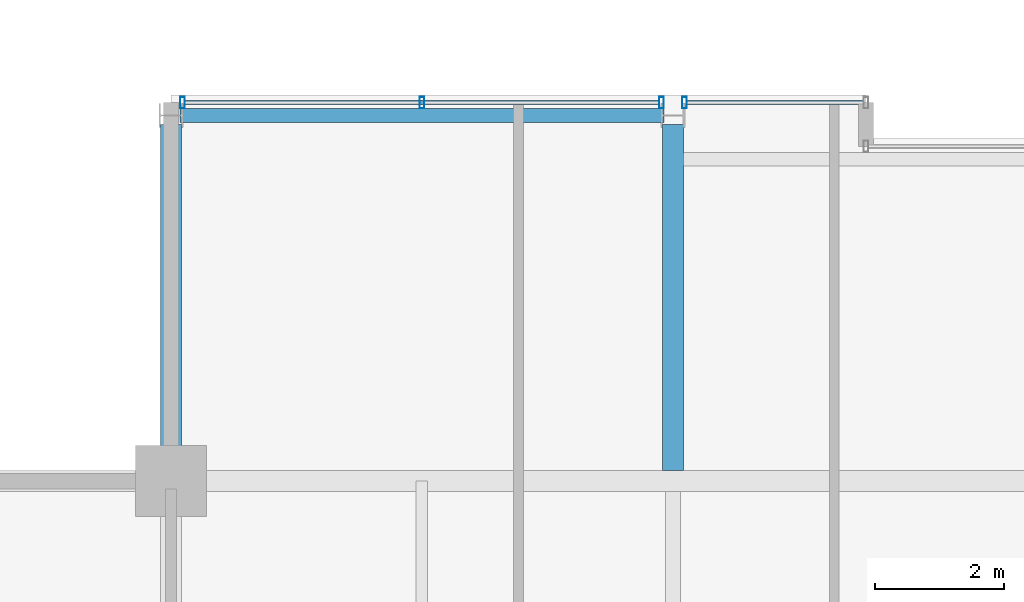
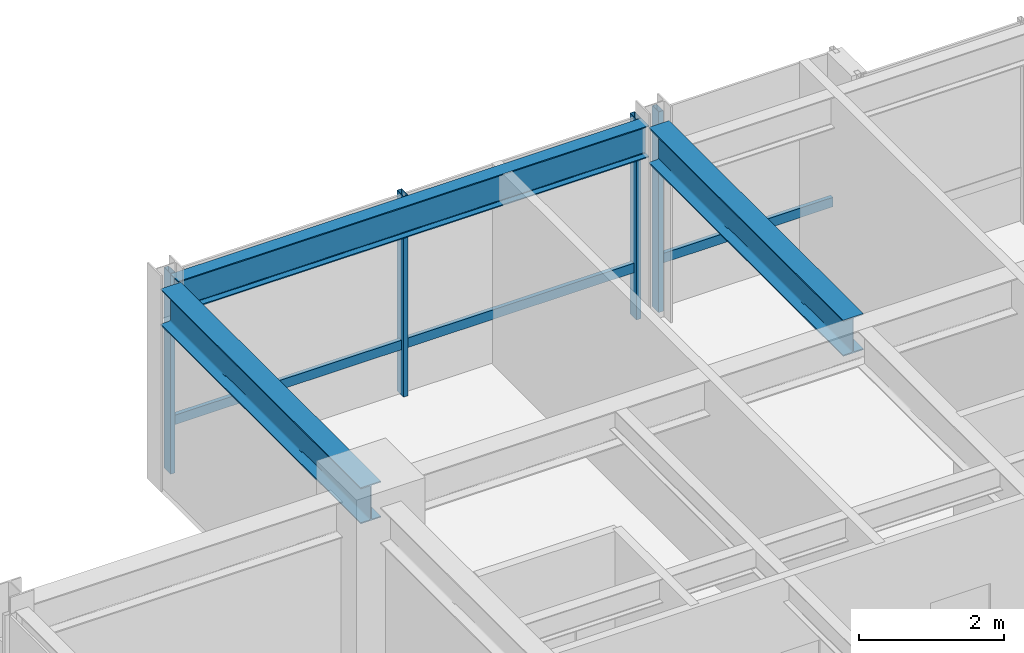
# One storey, part 18 of 32: 6 members, 3 beams, 2 elements without a shape of their own.
"""IFC4 building model written with IfcOpenShell, lengths in metres."""

from ifc_helpers import new_model, si_unit, direction, frame, origin, origin_2d, place, context, subcontext, project, spatial, hollow_rectangle, i_section, extrude, material, layer, layer_set, material_profile, profile_set, type_object, element, aggregate, save


model = new_model("IFC4")

# Units and contexts
model_context = context("Model", 3, precision=1e-05, world=origin(), true_north=direction((0.0, 1.0)))
body_context = subcontext(model_context, "Body", "Model", "MODEL_VIEW")
ifc_project = project(units=[si_unit("LENGTHUNIT", "METRE"), si_unit("AREAUNIT", "SQUARE_METRE"), si_unit("VOLUMEUNIT", "CUBIC_METRE"), si_unit("PLANEANGLEUNIT", "RADIAN"), si_unit("MASSUNIT", "GRAM", prefix="KILO")], contexts=[model_context])

# Site, building, storey
site_placement = place(None, origin())
site = spatial("IfcSite", under=ifc_project, at=site_placement, CompositionType="ELEMENT")
building_placement = place(site_placement, origin())
building = spatial("IfcBuilding", under=site, at=building_placement, Name="Drelvath Grand Hotel", CompositionType="ELEMENT")
storey_placement = place(building_placement, frame((0.0, 0.0, 265.0)))
storey = spatial("IfcBuildingStorey", under=building, at=storey_placement, Name="L69", CompositionType="ELEMENT", Elevation=265.0)

# Curtain wall, member
ifc_material_1 = material(Name="Platinum-Mist Anodised Aluminium Frame", Category="aluminium")
ifc_layer = layer(ifc_material_1, 0.199951171875)
ifc_layer_set = layer_set([ifc_layer], Name="Platinum-Mist Anodised Aluminium Frame")
curtain_wall_type = type_object("IfcCurtainWallType", Name="Stick Curtain Wall CW-05 Platinum Mist High-Rise", PredefinedType="NOTDEFINED", material=ifc_layer_set)
curtain_wall_1_placement = place(storey_placement, origin())
curtain_wall_1 = element("IfcCurtainWall", 1, at=curtain_wall_1_placement, inside=storey, type_object=curtain_wall_type, Name="L69 CW-05 Curtain Wall CW05-L69-NW1", PredefinedType="NOTDEFINED")
ifc_material_profile_1 = material_profile(ifc_material_1, hollow_rectangle(XDim=0.06494140625, YDim=0.159912109375, WallThickness=0.00390625, at=origin_2d()), Name="HSS160X65X4")
ifc_profile_set_1 = profile_set([ifc_material_profile_1], Name="Platinum-Mist Anodised Aluminium Frame")
member_type_1 = type_object("IfcMemberType", Name="Curtain Wall Horizontal Transom CW-05 HSS160X65X4", PredefinedType="USERDEFINED", material=ifc_profile_set_1)
member_1_placement = place(storey_placement, frame((-15.981689453125, 49.080078125, 0.847412109375), z_axis=(1.0, 0.0, 0.0), x_axis=(0.0, 1.0, 0.0)))
member_1 = element("IfcMember", 2, at=member_1_placement, type_object=member_type_1, Name="CW05-L69-NW1 Sill Transom", ObjectType="TRANSOM", PredefinedType="USERDEFINED", context=body_context, shape_type="SweptSolid", body=[
    extrude(hollow_rectangle(XDim=0.06494140625, YDim=0.159912109375, WallThickness=0.00390625, at=origin_2d()), origin(), (0.0, 0.0, 1.0), 7.363525390625),
])

curtain_wall_2_placement = place(storey_placement, origin())
curtain_wall_2 = element("IfcCurtainWall", 3, at=curtain_wall_2_placement, inside=storey, type_object=curtain_wall_type, Name="L69 CW-05 Curtain Wall CW05-L69-NW2", PredefinedType="NOTDEFINED")
member_2_placement = place(storey_placement, frame((-8.181884765625, 49.080078125, 0.847412109375), z_axis=(1.0, 0.0, 0.0), x_axis=(0.0, 1.0, 0.0)))
member_2 = element("IfcMember", 4, at=member_2_placement, type_object=member_type_1, Name="CW05-L69-NW2 Sill Transom", ObjectType="TRANSOM", PredefinedType="USERDEFINED", context=body_context, shape_type="SweptSolid", body=[
    extrude(hollow_rectangle(XDim=0.06494140625, YDim=0.159912109375, WallThickness=0.00390625, at=origin_2d()), origin(), (0.0, 0.0, 1.0), 2.741943359375),
])

# Member
ifc_material_profile_2 = material_profile(ifc_material_1, hollow_rectangle(XDim=0.074951171875, YDim=0.179931640625, WallThickness=0.0048828125, at=origin_2d()), Name="HSS180X75X5")
ifc_profile_set_2 = profile_set([ifc_material_profile_2], Name="Platinum-Mist Anodised Aluminium Frame")
member_type_2 = type_object("IfcMemberType", Name="Curtain Wall Vertical Mullion CW-05 HSS180X75X5", PredefinedType="MULLION", material=ifc_profile_set_2)
member_3_placement = place(storey_placement, frame((-16.021728515625, 49.080078125, 0.0), z_axis=(0.0, 0.0, 1.0), x_axis=(1.0, 0.0, 0.0)))
member_3 = element("IfcMember", 5, at=member_3_placement, type_object=member_type_2, Name="CW05-L69-NW1 Mullion 1", PredefinedType="MULLION", context=body_context, shape_type="SweptSolid", body=[
    extrude(hollow_rectangle(XDim=0.074951171875, YDim=0.179931640625, WallThickness=0.0048828125, at=origin_2d()), origin(), (0.0, 0.0, 1.0), 3.389892578125),
])

member_4_placement = place(storey_placement, frame((-12.300048828125, 49.080078125, 0.0), z_axis=(0.0, 0.0, 1.0), x_axis=(1.0, 0.0, 0.0)))
member_4 = element("IfcMember", 6, at=member_4_placement, type_object=member_type_2, Name="CW05-L69-NW1 Mullion 2", PredefinedType="MULLION", context=body_context, shape_type="SweptSolid", body=[
    extrude(hollow_rectangle(XDim=0.074951171875, YDim=0.179931640625, WallThickness=0.0048828125, at=origin_2d()), origin(), (0.0, 0.0, 1.0), 3.389892578125),
])

member_5_placement = place(storey_placement, frame((-8.578125, 49.080078125, 0.0), z_axis=(0.0, 0.0, 1.0), x_axis=(1.0, 0.0, 0.0)))
member_5 = element("IfcMember", 7, at=member_5_placement, type_object=member_type_2, Name="CW05-L69-NW1 Mullion 3", PredefinedType="MULLION", context=body_context, shape_type="SweptSolid", body=[
    extrude(hollow_rectangle(XDim=0.074951171875, YDim=0.179931640625, WallThickness=0.0048828125, at=origin_2d()), origin(), (0.0, 0.0, 1.0), 3.389892578125),
])

aggregate(curtain_wall_1, [member_3, member_4, member_5, member_1])

member_6_placement = place(storey_placement, frame((-8.2216796875, 49.080078125, 0.0), z_axis=(0.0, 0.0, 1.0), x_axis=(1.0, 0.0, 0.0)))
member_6 = element("IfcMember", 8, at=member_6_placement, type_object=member_type_2, Name="CW05-L69-NW2 Mullion 1", PredefinedType="MULLION", context=body_context, shape_type="SweptSolid", body=[
    extrude(hollow_rectangle(XDim=0.074951171875, YDim=0.179931640625, WallThickness=0.0048828125, at=origin_2d()), origin(), (0.0, 0.0, 1.0), 3.389892578125),
])

aggregate(curtain_wall_2, [member_6, member_2])

# Beams
ifc_material_2 = material(Name="Steel ASTM A992 Gr 50", Category="steel")
ifc_material_profile_3 = material_profile(ifc_material_2, i_section(OverallWidth=0.210205078125, OverallDepth=0.53662109375, WebThickness=0.010986328125, FlangeThickness=0.017333984375, FilletRadius=0.01806640625, at=origin_2d()), Name="W21X68")
ifc_profile_set_3 = profile_set([ifc_material_profile_3], Name="Steel ASTM A992 Gr 50")
beam_type_1 = type_object("IfcBeamType", Name="Perimeter Spandrel Beam W21X68", PredefinedType="SPANDREL", material=ifc_profile_set_3)
beam_1_placement = place(storey_placement, frame((-16.06005859375, 48.8798828125, 3.12158203125), z_axis=(1.0, 0.0, 0.0), x_axis=(0.0, 1.0, 0.0)))
element("IfcBeam", 9, at=beam_1_placement, inside=storey, type_object=beam_type_1, Name="L69 Spandrel North W", PredefinedType="SPANDREL", context=body_context, shape_type="SweptSolid", body=[
    extrude(i_section(OverallWidth=0.210205078125, OverallDepth=0.53662109375, WebThickness=0.010986328125, FlangeThickness=0.017333984375, FilletRadius=0.01806640625, at=origin_2d()), origin(), (0.0, 0.0, 1.0), 7.52001953125),
])
ifc_material_profile_4 = material_profile(ifc_material_2, i_section(OverallWidth=0.323974609375, OverallDepth=0.611083984375, WebThickness=0.0126953125, FlangeThickness=0.01904296875, FilletRadius=0.02197265625, at=origin_2d()), Name="W24X104")
ifc_profile_set_4 = profile_set([ifc_material_profile_4], Name="Steel ASTM A992 Gr 50")
beam_type_2 = type_object("IfcBeamType", Name="Primary Floor Girder W24X104", PredefinedType="BEAM", material=ifc_profile_set_4)
beam_2_placement = place(storey_placement, frame((-16.199951171875, 43.199951171875, 3.08447265625), z_axis=(0.0, 1.0, 0.0), x_axis=(-1.0, 0.0, 0.0)))
element("IfcBeam", 10, at=beam_2_placement, inside=storey, type_object=beam_type_2, Name="L69 North Grid Girder 3", PredefinedType="BEAM", context=body_context, shape_type="SweptSolid", body=[
    extrude(i_section(OverallWidth=0.323974609375, OverallDepth=0.611083984375, WebThickness=0.0126953125, FlangeThickness=0.01904296875, FilletRadius=0.02197265625, at=origin_2d()), origin(), (0.0, 0.0, 1.0), 5.5400390625),
])
beam_3_placement = place(storey_placement, frame((-8.39990234375, 43.362060546875, 3.08447265625), z_axis=(0.0, 1.0, 0.0), x_axis=(-1.0, 0.0, 0.0)))
element("IfcBeam", 11, at=beam_3_placement, inside=storey, type_object=beam_type_2, Name="L69 North Wing Girder 4", PredefinedType="BEAM", context=body_context, shape_type="SweptSolid", body=[
    extrude(i_section(OverallWidth=0.323974609375, OverallDepth=0.611083984375, WebThickness=0.0126953125, FlangeThickness=0.01904296875, FilletRadius=0.02197265625, at=origin_2d()), origin(), (0.0, 0.0, 1.0), 5.3779296875),
])

save(model, "model.ifc")
